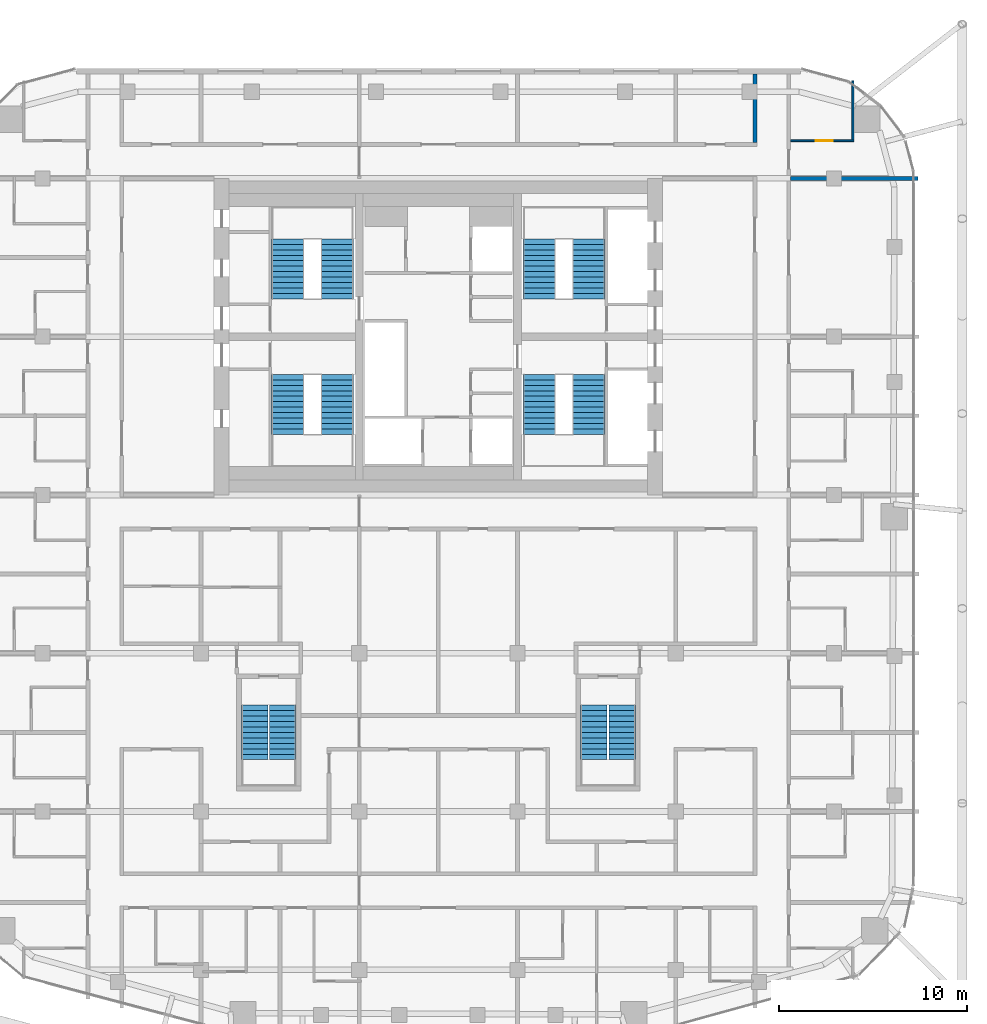
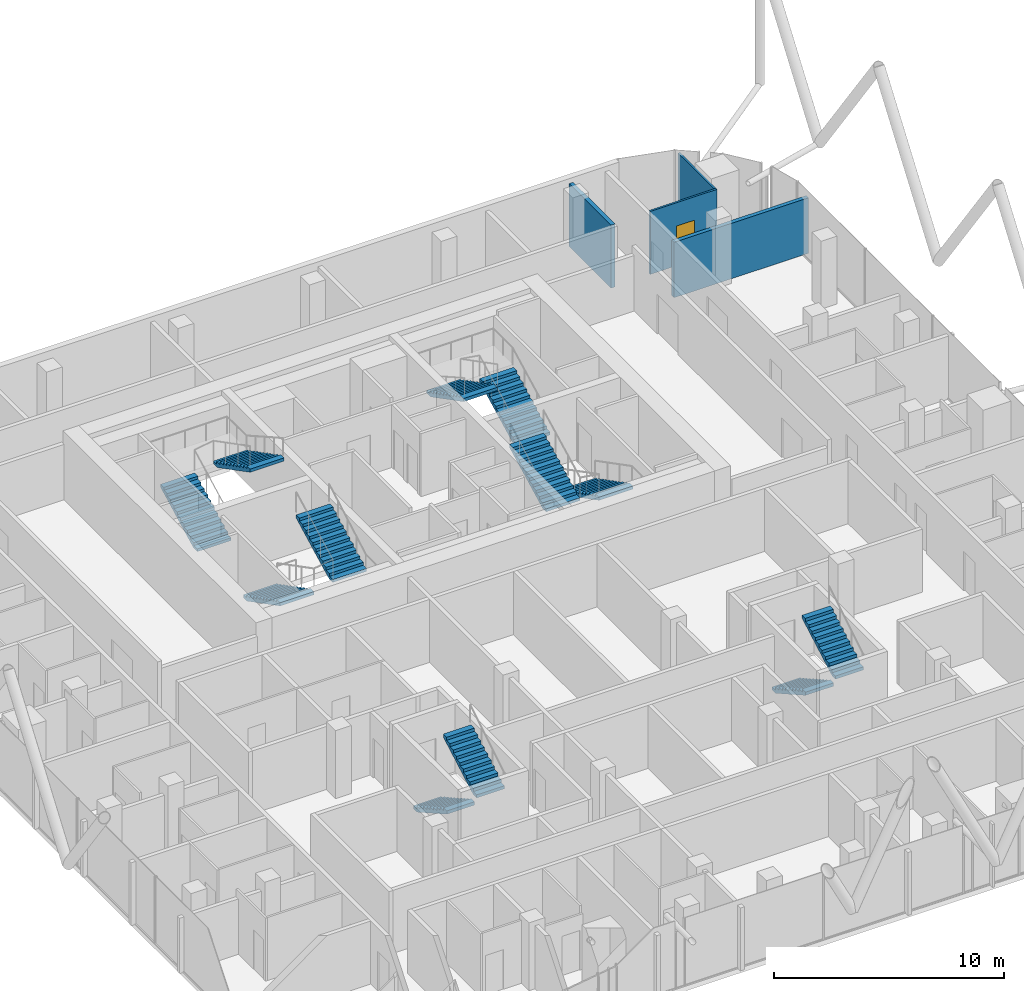
# One storey, part 30 of 31: 12 stair flights, 4 walls, 1 door, 1 opening, 6 elements without a shape of their own.
"""IFC4 building model written with IfcOpenShell, lengths in metres."""

from ifc_helpers import new_model, si_unit, direction, frame, frame_2d, origin, place, context, subcontext, project, spatial, polyline, rectangle, outline, extrude, material, layer, layer_set, type_object, element, fill, aggregate, save


model = new_model("IFC4")

# Units and contexts
model_context = context("Model", 3, precision=1e-05, world=origin(), true_north=direction((0.0, 1.0)))
body_context = subcontext(model_context, "Body", "Model", "MODEL_VIEW")
ifc_project = project(units=[si_unit("LENGTHUNIT", "METRE"), si_unit("AREAUNIT", "SQUARE_METRE"), si_unit("VOLUMEUNIT", "CUBIC_METRE"), si_unit("PLANEANGLEUNIT", "RADIAN"), si_unit("MASSUNIT", "GRAM", prefix="KILO")], contexts=[model_context])

# Site, building, storey
site_placement = place(None, origin())
site = spatial("IfcSite", under=ifc_project, at=site_placement, CompositionType="ELEMENT")
building_placement = place(site_placement, origin())
building = spatial("IfcBuilding", under=site, at=building_placement, Name="Marenta Gate Hotel Tower", CompositionType="ELEMENT")
storey_placement = place(building_placement, frame((0.0, 0.0, 191.300048828125)))
storey = spatial("IfcBuildingStorey", under=building, at=storey_placement, Name="L43", CompositionType="ELEMENT", Elevation=191.300048828125)

# Walls
ifc_material_1 = material(Name="Gypsum board on steel stud", Category="steel")
ifc_layer_1 = layer(ifc_material_1, 0.199951171875)
ifc_layer_set_1 = layer_set([ifc_layer_1], Name="Gypsum board on steel stud")
wall_type_1 = type_object("IfcWallType", Name="Room corridor wall 200 EI 60", PredefinedType="PARTITIONING", material=ifc_layer_set_1)
wall_1_placement = place(storey_placement, frame((16.800048828125, 18.699951171875, 0.0), z_axis=(0.0, 0.0, 1.0), x_axis=(0.0, 1.0, 0.0)))
element("IfcWall", 1, at=wall_1_placement, inside=storey, type_object=wall_type_1, Name="L43-PTN-W029", PredefinedType="PARTITIONING", context=body_context, shape_type="SweptSolid", body=[
    extrude(rectangle(XDim=3.64013671875, YDim=0.199951171875, at=frame_2d((1.820068359375, 0.0))), origin(), (0.0, 0.0, 1.0), 3.33984375),
])
ifc_material_2 = material(Name="Gypsum board on steel stud", Category="steel")
ifc_layer_2 = layer(ifc_material_2, 0.10009765625)
ifc_layer_set_2 = layer_set([ifc_layer_2], Name="Gypsum board on steel stud")
wall_type_2 = type_object("IfcWallType", Name="Room partition 100", PredefinedType="PARTITIONING", material=ifc_layer_set_2)
wall_2_placement = place(storey_placement, frame((22.0, 18.85009765625, 0.0), z_axis=(0.0, 0.0, 1.0), x_axis=(0.0, 1.0, 0.0)))
element("IfcWall", 2, at=wall_2_placement, inside=storey, type_object=wall_type_2, Name="L43-PTN-W012", PredefinedType="PARTITIONING", context=body_context, shape_type="SweptSolid", body=[
    extrude(rectangle(XDim=3.12890625, YDim=0.10009765625, at=frame_2d((1.564453125, 0.0))), origin(), (0.0, 0.0, 1.0), 3.33984375),
])

# Wall, opening, door
wall_3_placement = place(storey_placement, frame((18.699951171875, 18.800048828125, 0.0), z_axis=(0.0, 0.0, 1.0), x_axis=(1.0, 0.0, 0.0)))
wall_3 = element("IfcWall", 3, at=wall_3_placement, inside=storey, type_object=wall_type_2, Name="L43-PTN-W115", PredefinedType="PARTITIONING", context=body_context, shape_type="SweptSolid", body=[
    extrude(rectangle(XDim=3.35009765625, YDim=0.10009765625, at=frame_2d((1.675048828125, 0.0))), origin(), (0.0, 0.0, 1.0), 3.33984375),
])
opening_placement = place(wall_3_placement, frame((1.320068359375, 0.0, 0.0)))
opening = element("IfcOpeningElement", 4, at=opening_placement, cuts=wall_3, Name="Opening G15-36", PredefinedType="OPENING", context=body_context, shape_type="SweptSolid", body=[
    extrude(rectangle(XDim=0.89990234375, YDim=2.10009765625, at=frame_2d((0.449951171875, 1.050048828125))), frame((0.0, 0.050048828125, 0.0), z_axis=(0.0, -1.0, 0.0), x_axis=(1.0, 0.0, 0.0)), (0.0, 0.0, 1.0), 0.10009765625),
])
ifc_material_3 = material(Name="Timber door leaf", Category="wood")
door_type = type_object("IfcDoorType", Name="Guest bathroom door 900x2100", OperationType="NOTDEFINED", PredefinedType="DOOR", material=ifc_material_3)
door_placement = place(opening_placement, origin())
door = element("IfcDoor", 5, at=door_placement, inside=storey, type_object=door_type, Name="L43-PD-D036", OperationType="SINGLE_SWING_RIGHT", OverallHeight=2.10009765625, OverallWidth=0.89990234375, PredefinedType="DOOR", context=body_context, shape_type="SweptSolid", body=[
    extrude(rectangle(XDim=0.89990234375, YDim=2.10009765625, at=frame_2d((0.449951171875, 1.050048828125))), frame((0.0, 0.02490234375, 0.0), z_axis=(0.0, -1.0, 0.0), x_axis=(1.0, 0.0, 0.0)), (0.0, 0.0, 1.0), 0.050048828125),
])
fill(opening, door)

# Wall
ifc_material_4 = material(Name="Gypsum board on steel stud", Category="steel")
ifc_layer_3 = layer(ifc_material_4, 0.199951171875)
ifc_layer_set_3 = layer_set([ifc_layer_3], Name="Gypsum board on steel stud")
wall_type_3 = type_object("IfcWallType", Name="Room party wall 200 EI 60", PredefinedType="PARTITIONING", material=ifc_layer_set_3)
wall_4_placement = place(storey_placement, frame((18.699951171875, 16.800048828125, 0.0), z_axis=(0.0, 0.0, 1.0), x_axis=(1.0, 0.0, 0.0)))
element("IfcWall", 6, at=wall_4_placement, inside=storey, type_object=wall_type_3, Name="L43-PTN-W111", PredefinedType="PARTITIONING", context=body_context, shape_type="SweptSolid", body=[
    extrude(rectangle(XDim=6.7470703125, YDim=0.199951171875, at=frame_2d((3.37353515625, 0.0))), origin(), (0.0, 0.0, 1.0), 2.93994140625),
])

# Stair, stair flights
ifc_material_5 = material(Name="Concrete C40", Category="concrete")
stair_type_1 = type_object("IfcStairType", Name="Core exit stair 1700 wide", PredefinedType="HALF_TURN_STAIR", material=ifc_material_5)
stair_1_placement = place(storey_placement, origin())
stair_1 = element("IfcStair", 7, at=stair_1_placement, inside=storey, type_object=stair_type_1, Name="Exit stair 1", PredefinedType="HALF_TURN_STAIR")
ifc_material_6 = material(Name="Concrete C40", Category="concrete")
stair_flight_type_1 = type_object("IfcStairFlightType", Name="Core stair flight 1700 riser 150.0 going 290", PredefinedType="STRAIGHT", material=ifc_material_6)
stair_flight_1_placement = place(storey_placement, frame((-8.0, 6.39990234375, 0.0), z_axis=(0.0, 0.0, 1.0), x_axis=(0.0, -1.0, 0.0)))
stair_flight_1 = element("IfcStairFlight", 8, at=stair_flight_1_placement, type_object=stair_flight_type_1, Name="ST1 flight 1", NumberOfRisers=12, NumberOfTreads=11, PredefinedType="STRAIGHT", RiserHeight=0.15, TreadLength=0.29, context=body_context, shape_type="SweptSolid", body=[
    extrude(outline(polyline([(0.0, 0.0), (0.0, 0.14990234375), (0.2900390625, 0.14990234375), (0.2900390625, 0.300048828125), (0.580078125, 0.300048828125), (0.580078125, 0.449951171875), (0.8701171875, 0.449951171875), (0.8701171875, 0.60009765625), (1.159912109375, 0.60009765625), (1.159912109375, 0.75), (1.449951171875, 0.75), (1.449951171875, 0.89990234375), (1.739990234375, 0.89990234375), (1.739990234375, 1.050048828125), (2.030029296875, 1.050048828125), (2.030029296875, 1.199951171875), (2.320068359375, 1.199951171875), (2.320068359375, 1.35009765625), (2.610107421875, 1.35009765625), (2.610107421875, 1.5), (2.89990234375, 1.5), (2.89990234375, 1.64990234375), (3.18994140625, 1.64990234375), (3.18994140625, 1.800048828125), (3.18994140625, 1.481201171875), (0.326171875, 0.0), (0.0, 0.0)])), frame((0.0, 0.85009765625, 0.0), z_axis=(0.0, -1.0, 0.0), x_axis=(1.0, 0.0, 0.0)), (0.0, 0.0, 1.0), 1.699951171875),
])
stair_flight_2_placement = place(storey_placement, frame((-5.35009765625, 3.2099609375, 1.800048828125), z_axis=(0.0, 0.0, 1.0), x_axis=(0.0, 1.0, 0.0)))
stair_flight_2 = element("IfcStairFlight", 9, at=stair_flight_2_placement, type_object=stair_flight_type_1, Name="ST1 flight 2", NumberOfRisers=12, NumberOfTreads=11, PredefinedType="STRAIGHT", RiserHeight=0.15, TreadLength=0.29, context=body_context, shape_type="SweptSolid", body=[
    extrude(outline(polyline([(0.0, 0.0), (0.0, 0.14990234375), (0.2900390625, 0.14990234375), (0.2900390625, 0.300048828125), (0.580078125, 0.300048828125), (0.580078125, 0.449951171875), (0.8701171875, 0.449951171875), (0.8701171875, 0.60009765625), (1.159912109375, 0.60009765625), (1.159912109375, 0.75), (1.449951171875, 0.75), (1.449951171875, 0.89990234375), (1.739990234375, 0.89990234375), (1.739990234375, 1.050048828125), (2.030029296875, 1.050048828125), (2.030029296875, 1.199951171875), (2.320068359375, 1.199951171875), (2.320068359375, 1.35009765625), (2.610107421875, 1.35009765625), (2.610107421875, 1.5), (2.89990234375, 1.5), (2.89990234375, 1.64990234375), (3.18994140625, 1.64990234375), (3.18994140625, 1.800048828125), (3.18994140625, 1.481201171875), (0.326171875, 0.0), (0.0, 0.0)])), frame((0.0, 0.85009765625, 0.0), z_axis=(0.0, -1.0, 0.0), x_axis=(1.0, 0.0, 0.0)), (0.0, 0.0, 1.0), 1.699951171875),
])
aggregate(stair_1, [stair_flight_1, stair_flight_2])

stair_2_placement = place(storey_placement, origin())
stair_2 = element("IfcStair", 10, at=stair_2_placement, inside=storey, type_object=stair_type_1, Name="Exit stair 2", PredefinedType="HALF_TURN_STAIR")
stair_flight_3_placement = place(storey_placement, frame((-8.0, 10.39990234375, 0.0), z_axis=(0.0, 0.0, 1.0), x_axis=(0.0, 1.0, 0.0)))
stair_flight_3 = element("IfcStairFlight", 11, at=stair_flight_3_placement, type_object=stair_flight_type_1, Name="ST2 flight 1", NumberOfRisers=12, NumberOfTreads=11, PredefinedType="STRAIGHT", RiserHeight=0.15, TreadLength=0.29, context=body_context, shape_type="SweptSolid", body=[
    extrude(outline(polyline([(0.0, 0.0), (0.0, 0.14990234375), (0.2900390625, 0.14990234375), (0.2900390625, 0.300048828125), (0.580078125, 0.300048828125), (0.580078125, 0.449951171875), (0.8701171875, 0.449951171875), (0.8701171875, 0.60009765625), (1.159912109375, 0.60009765625), (1.159912109375, 0.75), (1.449951171875, 0.75), (1.449951171875, 0.89990234375), (1.739990234375, 0.89990234375), (1.739990234375, 1.050048828125), (2.030029296875, 1.050048828125), (2.030029296875, 1.199951171875), (2.320068359375, 1.199951171875), (2.320068359375, 1.35009765625), (2.610107421875, 1.35009765625), (2.610107421875, 1.5), (2.89990234375, 1.5), (2.89990234375, 1.64990234375), (3.18994140625, 1.64990234375), (3.18994140625, 1.800048828125), (3.18994140625, 1.481201171875), (0.326171875, 0.0), (0.0, 0.0)])), frame((0.0, 0.85009765625, 0.0), z_axis=(0.0, -1.0, 0.0), x_axis=(1.0, 0.0, 0.0)), (0.0, 0.0, 1.0), 1.699951171875),
])
stair_flight_4_placement = place(storey_placement, frame((-5.35009765625, 13.590087890625, 1.800048828125), z_axis=(0.0, 0.0, 1.0), x_axis=(0.0, -1.0, 0.0)))
stair_flight_4 = element("IfcStairFlight", 12, at=stair_flight_4_placement, type_object=stair_flight_type_1, Name="ST2 flight 2", NumberOfRisers=12, NumberOfTreads=11, PredefinedType="STRAIGHT", RiserHeight=0.15, TreadLength=0.29, context=body_context, shape_type="SweptSolid", body=[
    extrude(outline(polyline([(0.0, 0.0), (0.0, 0.14990234375), (0.2900390625, 0.14990234375), (0.2900390625, 0.300048828125), (0.580078125, 0.300048828125), (0.580078125, 0.449951171875), (0.8701171875, 0.449951171875), (0.8701171875, 0.60009765625), (1.159912109375, 0.60009765625), (1.159912109375, 0.75), (1.449951171875, 0.75), (1.449951171875, 0.89990234375), (1.739990234375, 0.89990234375), (1.739990234375, 1.050048828125), (2.030029296875, 1.050048828125), (2.030029296875, 1.199951171875), (2.320068359375, 1.199951171875), (2.320068359375, 1.35009765625), (2.610107421875, 1.35009765625), (2.610107421875, 1.5), (2.89990234375, 1.5), (2.89990234375, 1.64990234375), (3.18994140625, 1.64990234375), (3.18994140625, 1.800048828125), (3.18994140625, 1.481201171875), (0.326171875, 0.0), (0.0, 0.0)])), frame((0.0, 0.85009765625, 0.0), z_axis=(0.0, -1.0, 0.0), x_axis=(1.0, 0.0, 0.0)), (0.0, 0.0, 1.0), 1.699951171875),
])
aggregate(stair_2, [stair_flight_3, stair_flight_4])

stair_3_placement = place(storey_placement, origin())
stair_3 = element("IfcStair", 13, at=stair_3_placement, inside=storey, type_object=stair_type_1, Name="Exit stair 3", PredefinedType="HALF_TURN_STAIR")
stair_flight_5_placement = place(storey_placement, frame((8.0, 6.39990234375, 0.0), z_axis=(0.0, 0.0, 1.0), x_axis=(0.0, -1.0, 0.0)))
stair_flight_5 = element("IfcStairFlight", 14, at=stair_flight_5_placement, type_object=stair_flight_type_1, Name="ST3 flight 1", NumberOfRisers=12, NumberOfTreads=11, PredefinedType="STRAIGHT", RiserHeight=0.15, TreadLength=0.29, context=body_context, shape_type="SweptSolid", body=[
    extrude(outline(polyline([(0.0, 0.0), (0.0, 0.14990234375), (0.2900390625, 0.14990234375), (0.2900390625, 0.300048828125), (0.580078125, 0.300048828125), (0.580078125, 0.449951171875), (0.8701171875, 0.449951171875), (0.8701171875, 0.60009765625), (1.159912109375, 0.60009765625), (1.159912109375, 0.75), (1.449951171875, 0.75), (1.449951171875, 0.89990234375), (1.739990234375, 0.89990234375), (1.739990234375, 1.050048828125), (2.030029296875, 1.050048828125), (2.030029296875, 1.199951171875), (2.320068359375, 1.199951171875), (2.320068359375, 1.35009765625), (2.610107421875, 1.35009765625), (2.610107421875, 1.5), (2.89990234375, 1.5), (2.89990234375, 1.64990234375), (3.18994140625, 1.64990234375), (3.18994140625, 1.800048828125), (3.18994140625, 1.481201171875), (0.326171875, 0.0), (0.0, 0.0)])), frame((0.0, 0.85009765625, 0.0), z_axis=(0.0, -1.0, 0.0), x_axis=(1.0, 0.0, 0.0)), (0.0, 0.0, 1.0), 1.699951171875),
])
stair_flight_6_placement = place(storey_placement, frame((5.35009765625, 3.2099609375, 1.800048828125), z_axis=(0.0, 0.0, 1.0), x_axis=(0.0, 1.0, 0.0)))
stair_flight_6 = element("IfcStairFlight", 15, at=stair_flight_6_placement, type_object=stair_flight_type_1, Name="ST3 flight 2", NumberOfRisers=12, NumberOfTreads=11, PredefinedType="STRAIGHT", RiserHeight=0.15, TreadLength=0.29, context=body_context, shape_type="SweptSolid", body=[
    extrude(outline(polyline([(0.0, 0.0), (0.0, 0.14990234375), (0.2900390625, 0.14990234375), (0.2900390625, 0.300048828125), (0.580078125, 0.300048828125), (0.580078125, 0.449951171875), (0.8701171875, 0.449951171875), (0.8701171875, 0.60009765625), (1.159912109375, 0.60009765625), (1.159912109375, 0.75), (1.449951171875, 0.75), (1.449951171875, 0.89990234375), (1.739990234375, 0.89990234375), (1.739990234375, 1.050048828125), (2.030029296875, 1.050048828125), (2.030029296875, 1.199951171875), (2.320068359375, 1.199951171875), (2.320068359375, 1.35009765625), (2.610107421875, 1.35009765625), (2.610107421875, 1.5), (2.89990234375, 1.5), (2.89990234375, 1.64990234375), (3.18994140625, 1.64990234375), (3.18994140625, 1.800048828125), (3.18994140625, 1.481201171875), (0.326171875, 0.0), (0.0, 0.0)])), frame((0.0, 0.85009765625, 0.0), z_axis=(0.0, -1.0, 0.0), x_axis=(1.0, 0.0, 0.0)), (0.0, 0.0, 1.0), 1.699951171875),
])
aggregate(stair_3, [stair_flight_5, stair_flight_6])

stair_4_placement = place(storey_placement, origin())
stair_4 = element("IfcStair", 16, at=stair_4_placement, inside=storey, type_object=stair_type_1, Name="Exit stair 4", PredefinedType="HALF_TURN_STAIR")
stair_flight_7_placement = place(storey_placement, frame((8.0, 10.39990234375, 0.0), z_axis=(0.0, 0.0, 1.0), x_axis=(0.0, 1.0, 0.0)))
stair_flight_7 = element("IfcStairFlight", 17, at=stair_flight_7_placement, type_object=stair_flight_type_1, Name="ST4 flight 1", NumberOfRisers=12, NumberOfTreads=11, PredefinedType="STRAIGHT", RiserHeight=0.15, TreadLength=0.29, context=body_context, shape_type="SweptSolid", body=[
    extrude(outline(polyline([(0.0, 0.0), (0.0, 0.14990234375), (0.2900390625, 0.14990234375), (0.2900390625, 0.300048828125), (0.580078125, 0.300048828125), (0.580078125, 0.449951171875), (0.8701171875, 0.449951171875), (0.8701171875, 0.60009765625), (1.159912109375, 0.60009765625), (1.159912109375, 0.75), (1.449951171875, 0.75), (1.449951171875, 0.89990234375), (1.739990234375, 0.89990234375), (1.739990234375, 1.050048828125), (2.030029296875, 1.050048828125), (2.030029296875, 1.199951171875), (2.320068359375, 1.199951171875), (2.320068359375, 1.35009765625), (2.610107421875, 1.35009765625), (2.610107421875, 1.5), (2.89990234375, 1.5), (2.89990234375, 1.64990234375), (3.18994140625, 1.64990234375), (3.18994140625, 1.800048828125), (3.18994140625, 1.481201171875), (0.326171875, 0.0), (0.0, 0.0)])), frame((0.0, 0.85009765625, 0.0), z_axis=(0.0, -1.0, 0.0), x_axis=(1.0, 0.0, 0.0)), (0.0, 0.0, 1.0), 1.699951171875),
])
stair_flight_8_placement = place(storey_placement, frame((5.35009765625, 13.590087890625, 1.800048828125), z_axis=(0.0, 0.0, 1.0), x_axis=(0.0, -1.0, 0.0)))
stair_flight_8 = element("IfcStairFlight", 18, at=stair_flight_8_placement, type_object=stair_flight_type_1, Name="ST4 flight 2", NumberOfRisers=12, NumberOfTreads=11, PredefinedType="STRAIGHT", RiserHeight=0.15, TreadLength=0.29, context=body_context, shape_type="SweptSolid", body=[
    extrude(outline(polyline([(0.0, 0.0), (0.0, 0.14990234375), (0.2900390625, 0.14990234375), (0.2900390625, 0.300048828125), (0.580078125, 0.300048828125), (0.580078125, 0.449951171875), (0.8701171875, 0.449951171875), (0.8701171875, 0.60009765625), (1.159912109375, 0.60009765625), (1.159912109375, 0.75), (1.449951171875, 0.75), (1.449951171875, 0.89990234375), (1.739990234375, 0.89990234375), (1.739990234375, 1.050048828125), (2.030029296875, 1.050048828125), (2.030029296875, 1.199951171875), (2.320068359375, 1.199951171875), (2.320068359375, 1.35009765625), (2.610107421875, 1.35009765625), (2.610107421875, 1.5), (2.89990234375, 1.5), (2.89990234375, 1.64990234375), (3.18994140625, 1.64990234375), (3.18994140625, 1.800048828125), (3.18994140625, 1.481201171875), (0.326171875, 0.0), (0.0, 0.0)])), frame((0.0, 0.85009765625, 0.0), z_axis=(0.0, -1.0, 0.0), x_axis=(1.0, 0.0, 0.0)), (0.0, 0.0, 1.0), 1.699951171875),
])
aggregate(stair_4, [stair_flight_7, stair_flight_8])

ifc_material_7 = material(Name="Concrete C40", Category="concrete")
stair_type_2 = type_object("IfcStairType", Name="Remote exit stair 1400 wide", PredefinedType="HALF_TURN_STAIR", material=ifc_material_7)
stair_5_placement = place(storey_placement, origin())
stair_5 = element("IfcStair", 19, at=stair_5_placement, inside=storey, type_object=stair_type_2, Name="Exit stair RS-Z3-1", PredefinedType="HALF_TURN_STAIR")
ifc_material_8 = material(Name="Concrete C40", Category="concrete")
stair_flight_type_2 = type_object("IfcStairFlightType", Name="Remote stair flight 1400 riser 163.6 going 290", PredefinedType="STRAIGHT", material=ifc_material_8)
stair_flight_9_placement = place(storey_placement, frame((-9.75, -11.14990234375, 0.0), z_axis=(0.0, 0.0, 1.0), x_axis=(0.0, -1.0, 0.0)))
stair_flight_9 = element("IfcStairFlight", 20, at=stair_flight_9_placement, type_object=stair_flight_type_2, Name="RS-Z3-1 flight 1", NumberOfRisers=11, NumberOfTreads=10, PredefinedType="STRAIGHT", RiserHeight=0.163636, TreadLength=0.29, context=body_context, shape_type="SweptSolid", body=[
    extrude(outline(polyline([(0.0, 0.0), (0.0, 0.16357421875), (0.2900390625, 0.16357421875), (0.2900390625, 0.327392578125), (0.580078125, 0.327392578125), (0.580078125, 0.490966796875), (0.8701171875, 0.490966796875), (0.8701171875, 0.654541015625), (1.159912109375, 0.654541015625), (1.159912109375, 0.818115234375), (1.449951171875, 0.818115234375), (1.449951171875, 0.98193359375), (1.739990234375, 0.98193359375), (1.739990234375, 1.1455078125), (2.030029296875, 1.1455078125), (2.030029296875, 1.30908203125), (2.320068359375, 1.30908203125), (2.320068359375, 1.47265625), (2.610107421875, 1.47265625), (2.610107421875, 1.636474609375), (2.89990234375, 1.636474609375), (2.89990234375, 1.800048828125), (2.89990234375, 1.46435546875), (0.304931640625, 0.0), (0.0, 0.0)])), frame((0.0, 0.699951171875, 0.0), z_axis=(0.0, -1.0, 0.0), x_axis=(1.0, 0.0, 0.0)), (0.0, 0.0, 1.0), 1.39990234375),
])
stair_flight_10_placement = place(storey_placement, frame((-8.25, -14.050048828125, 1.800048828125), z_axis=(0.0, 0.0, 1.0), x_axis=(0.0, 1.0, 0.0)))
stair_flight_10 = element("IfcStairFlight", 21, at=stair_flight_10_placement, type_object=stair_flight_type_2, Name="RS-Z3-1 flight 2", NumberOfRisers=11, NumberOfTreads=10, PredefinedType="STRAIGHT", RiserHeight=0.163636, TreadLength=0.29, context=body_context, shape_type="SweptSolid", body=[
    extrude(outline(polyline([(0.0, 0.0), (0.0, 0.16357421875), (0.2900390625, 0.16357421875), (0.2900390625, 0.327392578125), (0.580078125, 0.327392578125), (0.580078125, 0.490966796875), (0.8701171875, 0.490966796875), (0.8701171875, 0.654541015625), (1.159912109375, 0.654541015625), (1.159912109375, 0.818115234375), (1.449951171875, 0.818115234375), (1.449951171875, 0.98193359375), (1.739990234375, 0.98193359375), (1.739990234375, 1.1455078125), (2.030029296875, 1.1455078125), (2.030029296875, 1.30908203125), (2.320068359375, 1.30908203125), (2.320068359375, 1.47265625), (2.610107421875, 1.47265625), (2.610107421875, 1.636474609375), (2.89990234375, 1.636474609375), (2.89990234375, 1.800048828125), (2.89990234375, 1.46435546875), (0.304931640625, 0.0), (0.0, 0.0)])), frame((0.0, 0.699951171875, 0.0), z_axis=(0.0, -1.0, 0.0), x_axis=(1.0, 0.0, 0.0)), (0.0, 0.0, 1.0), 1.39990234375),
])
aggregate(stair_5, [stair_flight_9, stair_flight_10])

stair_6_placement = place(storey_placement, origin())
stair_6 = element("IfcStair", 22, at=stair_6_placement, inside=storey, type_object=stair_type_2, Name="Exit stair RS-Z3-2", PredefinedType="HALF_TURN_STAIR")
stair_flight_11_placement = place(storey_placement, frame((8.25, -11.14990234375, 0.0), z_axis=(0.0, 0.0, 1.0), x_axis=(0.0, -1.0, 0.0)))
stair_flight_11 = element("IfcStairFlight", 23, at=stair_flight_11_placement, type_object=stair_flight_type_2, Name="RS-Z3-2 flight 1", NumberOfRisers=11, NumberOfTreads=10, PredefinedType="STRAIGHT", RiserHeight=0.163636, TreadLength=0.29, context=body_context, shape_type="SweptSolid", body=[
    extrude(outline(polyline([(0.0, 0.0), (0.0, 0.16357421875), (0.2900390625, 0.16357421875), (0.2900390625, 0.327392578125), (0.580078125, 0.327392578125), (0.580078125, 0.490966796875), (0.8701171875, 0.490966796875), (0.8701171875, 0.654541015625), (1.159912109375, 0.654541015625), (1.159912109375, 0.818115234375), (1.449951171875, 0.818115234375), (1.449951171875, 0.98193359375), (1.739990234375, 0.98193359375), (1.739990234375, 1.1455078125), (2.030029296875, 1.1455078125), (2.030029296875, 1.30908203125), (2.320068359375, 1.30908203125), (2.320068359375, 1.47265625), (2.610107421875, 1.47265625), (2.610107421875, 1.636474609375), (2.89990234375, 1.636474609375), (2.89990234375, 1.800048828125), (2.89990234375, 1.46435546875), (0.304931640625, 0.0), (0.0, 0.0)])), frame((0.0, 0.699951171875, 0.0), z_axis=(0.0, -1.0, 0.0), x_axis=(1.0, 0.0, 0.0)), (0.0, 0.0, 1.0), 1.39990234375),
])
stair_flight_12_placement = place(storey_placement, frame((9.75, -14.050048828125, 1.800048828125), z_axis=(0.0, 0.0, 1.0), x_axis=(0.0, 1.0, 0.0)))
stair_flight_12 = element("IfcStairFlight", 24, at=stair_flight_12_placement, type_object=stair_flight_type_2, Name="RS-Z3-2 flight 2", NumberOfRisers=11, NumberOfTreads=10, PredefinedType="STRAIGHT", RiserHeight=0.163636, TreadLength=0.29, context=body_context, shape_type="SweptSolid", body=[
    extrude(outline(polyline([(0.0, 0.0), (0.0, 0.16357421875), (0.2900390625, 0.16357421875), (0.2900390625, 0.327392578125), (0.580078125, 0.327392578125), (0.580078125, 0.490966796875), (0.8701171875, 0.490966796875), (0.8701171875, 0.654541015625), (1.159912109375, 0.654541015625), (1.159912109375, 0.818115234375), (1.449951171875, 0.818115234375), (1.449951171875, 0.98193359375), (1.739990234375, 0.98193359375), (1.739990234375, 1.1455078125), (2.030029296875, 1.1455078125), (2.030029296875, 1.30908203125), (2.320068359375, 1.30908203125), (2.320068359375, 1.47265625), (2.610107421875, 1.47265625), (2.610107421875, 1.636474609375), (2.89990234375, 1.636474609375), (2.89990234375, 1.800048828125), (2.89990234375, 1.46435546875), (0.304931640625, 0.0), (0.0, 0.0)])), frame((0.0, 0.699951171875, 0.0), z_axis=(0.0, -1.0, 0.0), x_axis=(1.0, 0.0, 0.0)), (0.0, 0.0, 1.0), 1.39990234375),
])
aggregate(stair_6, [stair_flight_11, stair_flight_12])

save(model, "model.ifc")
